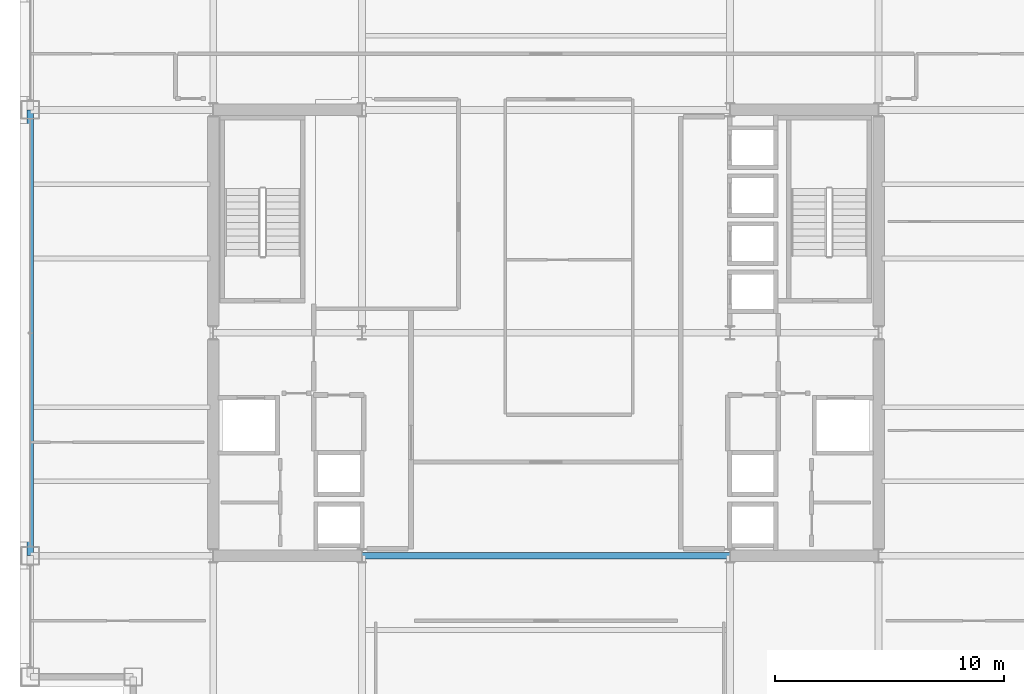
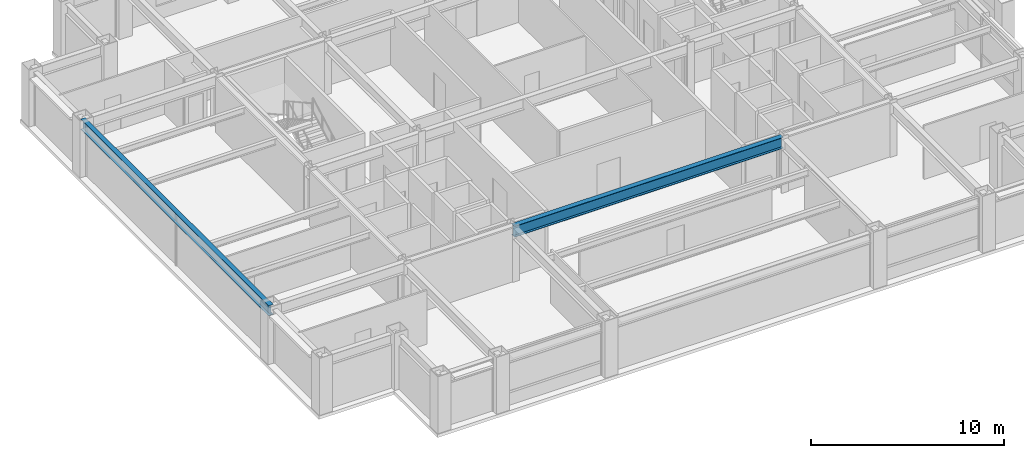
# One storey, part 7 of 29: 2 beams.
"""IFC4 building model written with IfcOpenShell, lengths in metres."""

import ifcopenshell
import ifcopenshell.guid

model = None  # the IFC model being written
_history = None  # IfcOwnerHistory: only IFC2X3 demands one
_inside = {}  # id of a spatial element -> (the spatial element, [elements in it])
_under = {}  # id of a project, library or spatial element -> (it, [spatial elements below it])
_declared = {}  # id of a project -> (the project, [libraries it declares])
_typed = {}  # id of a type object -> (the type object, [elements of that type])
_made_of = {}  # id of a material, layer set ... -> (it, [elements and type objects made of it])


def new_model(schema):
    """Start an empty IFC model of exactly this schema.

    Asked for "IFC4X3", IfcOpenShell would pick the latest addendum, in which some entities
    have other attributes; the version numbers below select the first issue.
    IFC2X3 requires an IfcOwnerHistory on every rooted entity: one is made here for all.
    """
    global model, _history
    if schema == "IFC4X3":
        model = ifcopenshell.file(schema_version=(4, 3, 0, 0))
    else:
        model = ifcopenshell.file(schema=schema)
    _inside.clear()
    _under.clear()
    _declared.clear()
    _typed.clear()
    _made_of.clear()
    _history = None
    if model.schema == "IFC2X3":
        org = make("IfcOrganization", Name="unknown")
        user = make(
            "IfcPersonAndOrganization",
            ThePerson=make("IfcPerson", FamilyName="unknown"),
            TheOrganization=org,
        )
        app = make(
            "IfcApplication",
            ApplicationDeveloper=org,
            Version="unknown",
            ApplicationFullName="unknown",
            ApplicationIdentifier="unknown",
        )
        _history = make(
            "IfcOwnerHistory",
            OwningUser=user,
            OwningApplication=app,
            ChangeAction="ADDED",
            CreationDate=0,
        )
    return model


def make(cls, **values):
    """One entity of the class cls with the attributes given. An attribute that is None is left unset."""
    return model.create_entity(
        cls, **{name: value for name, value in values.items() if value is not None}
    )


def rooted(cls, **values):
    """An entity with a GlobalId (a new one), such as an element, a storey or a relation."""
    return make(cls, GlobalId=ifcopenshell.guid.new(), OwnerHistory=_history, **values)


def si_unit(unit_type, name, prefix=None):
    """IfcSIUnit, for example si_unit("LENGTHUNIT", "METRE", prefix="MILLI")."""
    return make("IfcSIUnit", UnitType=unit_type, Prefix=prefix, Name=name)


def assignment(units):
    """IfcUnitAssignment: the units of a project."""
    return None if units is None else make("IfcUnitAssignment", Units=units)


def point(xyz):
    """IfcCartesianPoint."""
    return None if xyz is None else make("IfcCartesianPoint", Coordinates=xyz)


def direction(xyz):
    """IfcDirection."""
    return None if xyz is None else make("IfcDirection", DirectionRatios=xyz)


def frame(location, z_axis=None, x_axis=None):
    """IfcAxis2Placement3D, a coordinate frame: its origin and axes. An axis left out is left unset."""
    return make(
        "IfcAxis2Placement3D",
        Location=point(location),
        Axis=direction(z_axis),
        RefDirection=direction(x_axis),
    )


def frame_2d(location, x_axis=None):
    """IfcAxis2Placement2D, a coordinate frame in the plane: its origin and x axis."""
    return make(
        "IfcAxis2Placement2D", Location=point(location), RefDirection=direction(x_axis)
    )


def origin():
    """The frame at (0, 0, 0) with its axes left unset."""
    return frame((0.0, 0.0, 0.0))


def origin_2d():
    """The frame at (0, 0) in the plane with its x axis left unset."""
    return frame_2d((0.0, 0.0))


def place(relative_to, where):
    """IfcLocalPlacement: puts the frame where relative to a parent placement (None: the world)."""
    return make(
        "IfcLocalPlacement", PlacementRelTo=relative_to, RelativePlacement=where
    )


def context(
    kind, dimensions, precision=None, world=None, true_north=None, identifier=None
):
    """IfcGeometricRepresentationContext, for example the 3D "Model" context."""
    return make(
        "IfcGeometricRepresentationContext",
        ContextIdentifier=identifier,
        ContextType=kind,
        CoordinateSpaceDimension=dimensions,
        Precision=precision,
        WorldCoordinateSystem=world,
        TrueNorth=true_north,
    )


def subcontext(parent, identifier, kind, view, scale=None):
    """IfcGeometricRepresentationSubContext, for example "Body" below "Model"."""
    return make(
        "IfcGeometricRepresentationSubContext",
        ContextIdentifier=identifier,
        ContextType=kind,
        ParentContext=parent,
        TargetScale=scale,
        TargetView=view,
    )


def project(units=None, contexts=None):
    """IfcProject with its units and contexts."""
    return rooted(
        "IfcProject",
        Name="project",
        RepresentationContexts=contexts,
        UnitsInContext=assignment(units),
    )


def spatial(cls, under=None, at=None, **own):
    """A site, building, storey or space (cls), placed at a placement, below another one or the project."""
    s = rooted(cls, ObjectPlacement=at, **own)
    if under is not None:
        _under.setdefault(under.id(), (under, []))[1].append(s)
    return s


def profile(cls, at=None, kind="AREA", **sizes):
    """A parametric profile (cls). Its sizes go by their IFC names, for example OverallWidth=200.0."""
    return make(cls, ProfileType=kind, Position=at, **sizes)


def i_section(**sizes):
    """IfcIShapeProfileDef."""
    return profile("IfcIShapeProfileDef", **sizes)


def extrude(swept, where, along, depth):
    """IfcExtrudedAreaSolid: the profile swept, set in the frame where, extruded along a direction by depth."""
    return make(
        "IfcExtrudedAreaSolid",
        SweptArea=swept,
        Position=where,
        ExtrudedDirection=direction(along),
        Depth=depth,
    )


def shape(context_of_items, identifier, shape_type, items):
    """IfcShapeRepresentation: the items that make up one representation, for example the "Body"."""
    return make(
        "IfcShapeRepresentation",
        ContextOfItems=context_of_items,
        RepresentationIdentifier=identifier,
        RepresentationType=shape_type,
        Items=items,
    )


def material(Name=None, Category=None):
    """IfcMaterial."""
    return make("IfcMaterial", Name=Name, Category=Category)


def material_profile(
    of_material, cross_section, Name=None, Category=None, Priority=None
):
    """IfcMaterialProfile: a cross section and its material."""
    return make(
        "IfcMaterialProfile",
        Name=Name,
        Material=of_material,
        Profile=cross_section,
        Priority=Priority,
        Category=Category,
    )


def profile_set(profiles, Name=None, composite=None):
    """IfcMaterialProfileSet."""
    return make(
        "IfcMaterialProfileSet",
        Name=Name,
        MaterialProfiles=profiles,
        CompositeProfile=composite,
    )


def made_of(thing, what):
    """Note that an element or type object is made of a material, layer set ...; save() writes the relation."""
    if what is not None:
        _made_of.setdefault(what.id(), (what, []))[1].append(thing)
    return thing


def type_object(cls, material=None, **own):
    """A type object (cls), such as IfcWallType, which elements share."""
    return made_of(rooted(cls, **own), material)


def element(
    cls,
    number,
    at=None,
    inside=None,
    cuts=None,
    type_object=None,
    material=None,
    context=None,
    identifier="Body",
    shape_type=None,
    held_by="IfcProductDefinitionShape",
    body=None,
    shapes=None,
    **own,
):
    """One element of the class cls, such as IfcWall. Its Tag is "e" and its number.

    at: its placement. inside: the storey or other place that contains it. cuts: it is an
    opening in that element (IfcRelVoidsElement). A single representation is given by context,
    identifier, shape_type and body (its items); several are given by shapes. held_by: the class
    of the entity that holds the representations. save() writes the other relations.
    """
    e = rooted(cls, Tag="e%d" % number, ObjectPlacement=at, **own)
    if body is not None:
        shapes = [shape(context, identifier, shape_type, body)]
    if shapes is not None:
        e.Representation = make(held_by, Representations=shapes)
    if inside is not None:
        _inside.setdefault(inside.id(), (inside, []))[1].append(e)
    if cuts is not None:
        rooted(
            "IfcRelVoidsElement", RelatingBuildingElement=cuts, RelatedOpeningElement=e
        )
    if type_object is not None:
        _typed.setdefault(type_object.id(), (type_object, []))[1].append(e)
    return made_of(e, material)


def aggregate(whole, parts):
    """IfcRelAggregates: a whole, such as a stair, and the parts it consists of."""
    return rooted("IfcRelAggregates", RelatingObject=whole, RelatedObjects=parts)


def save(model, path):
    """Write the relations noted so far, then the file.

    IfcRelAggregates (storeys below a building ...), IfcRelContainedInSpatialStructure (elements
    in a storey), IfcRelDefinesByType, IfcRelAssociatesMaterial and IfcRelDeclares: one each for
    every whole, place, type object, material and project.
    """
    for whole, parts in _under.values():
        aggregate(whole, parts)
    for where, things in _inside.values():
        rooted(
            "IfcRelContainedInSpatialStructure",
            RelatedElements=things,
            RelatingStructure=where,
        )
    for kind, things in _typed.values():
        rooted("IfcRelDefinesByType", RelatedObjects=things, RelatingType=kind)
    for what, things in _made_of.values():
        rooted("IfcRelAssociatesMaterial", RelatedObjects=things, RelatingMaterial=what)
    for by, libraries in _declared.values():
        rooted("IfcRelDeclares", RelatingContext=by, RelatedDefinitions=libraries)
    model.write(path)


model = new_model("IFC4")

# Units and contexts
model_context = context("Model", 3, precision=1e-05, world=origin(), true_north=direction((0.0, 1.0)))
body_context = subcontext(model_context, "Body", "Model", "MODEL_VIEW")
ifc_project = project(units=[si_unit("LENGTHUNIT", "METRE"), si_unit("AREAUNIT", "SQUARE_METRE"), si_unit("VOLUMEUNIT", "CUBIC_METRE"), si_unit("PLANEANGLEUNIT", "RADIAN"), si_unit("MASSUNIT", "GRAM", prefix="KILO")], contexts=[model_context])

# Site, building, storey
site_placement = place(None, origin())
site = spatial("IfcSite", under=ifc_project, at=site_placement, CompositionType="ELEMENT")
building_placement = place(site_placement, origin())
building = spatial("IfcBuilding", under=site, at=building_placement, Name="Brelmoor Portico Tower", CompositionType="ELEMENT")
storey_placement = place(building_placement, frame((0.0, 0.0, 127.800048828125)))
storey = spatial("IfcBuildingStorey", under=building, at=storey_placement, Name="L33", CompositionType="ELEMENT", Elevation=127.800048828125)

# Beams
ifc_material = material(Name="Steel Q355B", Category="steel")
ifc_material_profile_1 = material_profile(ifc_material, i_section(OverallWidth=0.300048828125, OverallDepth=0.699951171875, WebThickness=0.012939453125, FlangeThickness=0.02392578125, at=origin_2d()), Name="HN 700x300x13x24")
ifc_profile_set_1 = profile_set([ifc_material_profile_1], Name="Steel Q355B")
beam_type_1 = type_object("IfcBeamType", Name="BM-PG-700", PredefinedType="BEAM", material=ifc_profile_set_1)
beam_1_placement = place(storey_placement, frame((-8.050048828125, -9.75, 3.050048828125), z_axis=(1.0, 0.0, 0.0), x_axis=(0.0, 1.0, 0.0)))
element("IfcBeam", 1, at=beam_1_placement, inside=storey, type_object=beam_type_1, Name="L33 Primary Floor Girder PG-16", PredefinedType="BEAM", context=body_context, shape_type="SweptSolid", body=[
    extrude(i_section(OverallWidth=0.300048828125, OverallDepth=0.699951171875, WebThickness=0.012939453125, FlangeThickness=0.02392578125, at=origin_2d()), origin(), (0.0, 0.0, 1.0), 16.10009765625),
])
ifc_material_profile_2 = material_profile(ifc_material, i_section(OverallWidth=0.280029296875, OverallDepth=0.64990234375, WebThickness=0.012939453125, FlangeThickness=0.02197265625, at=origin_2d()), Name="HN 650x280x13x22")
ifc_profile_set_2 = profile_set([ifc_material_profile_2], Name="Steel Q355B")
beam_type_2 = type_object("IfcBeamType", Name="BM-SP-650", PredefinedType="SPANDREL", material=ifc_profile_set_2)
beam_2_placement = place(storey_placement, frame((-22.550048828125, -9.75, 3.074951171875), z_axis=(0.0, 1.0, 0.0), x_axis=(-1.0, 0.0, 0.0)))
element("IfcBeam", 2, at=beam_2_placement, inside=storey, type_object=beam_type_2, Name="L33 Perimeter Spandrel Beam SP-16", PredefinedType="SPANDREL", context=body_context, shape_type="SweptSolid", body=[
    extrude(i_section(OverallWidth=0.280029296875, OverallDepth=0.64990234375, WebThickness=0.012939453125, FlangeThickness=0.02197265625, at=origin_2d()), origin(), (0.0, 0.0, 1.0), 19.5),
])

save(model, "model.ifc")
